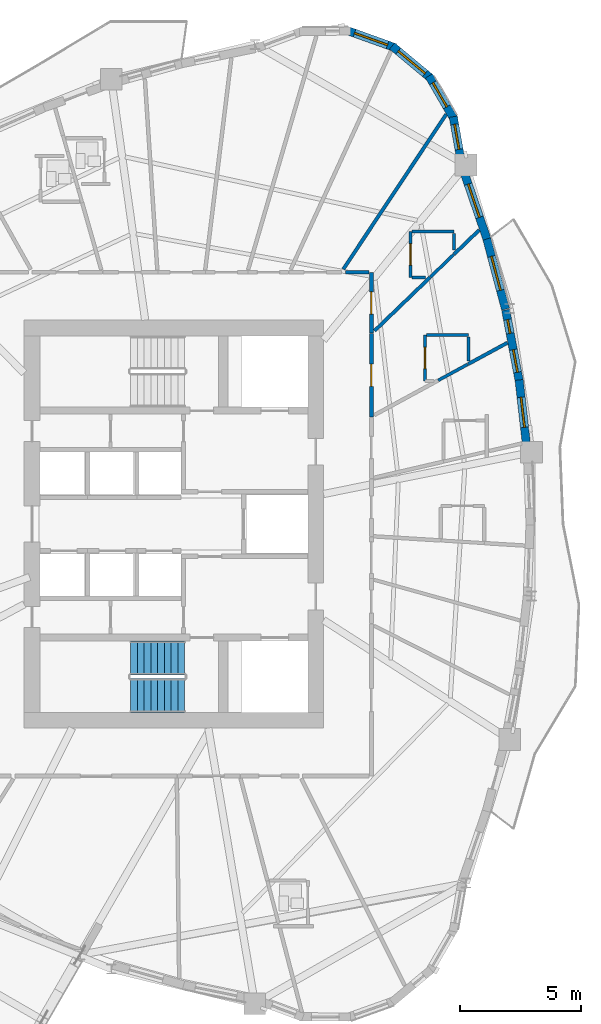
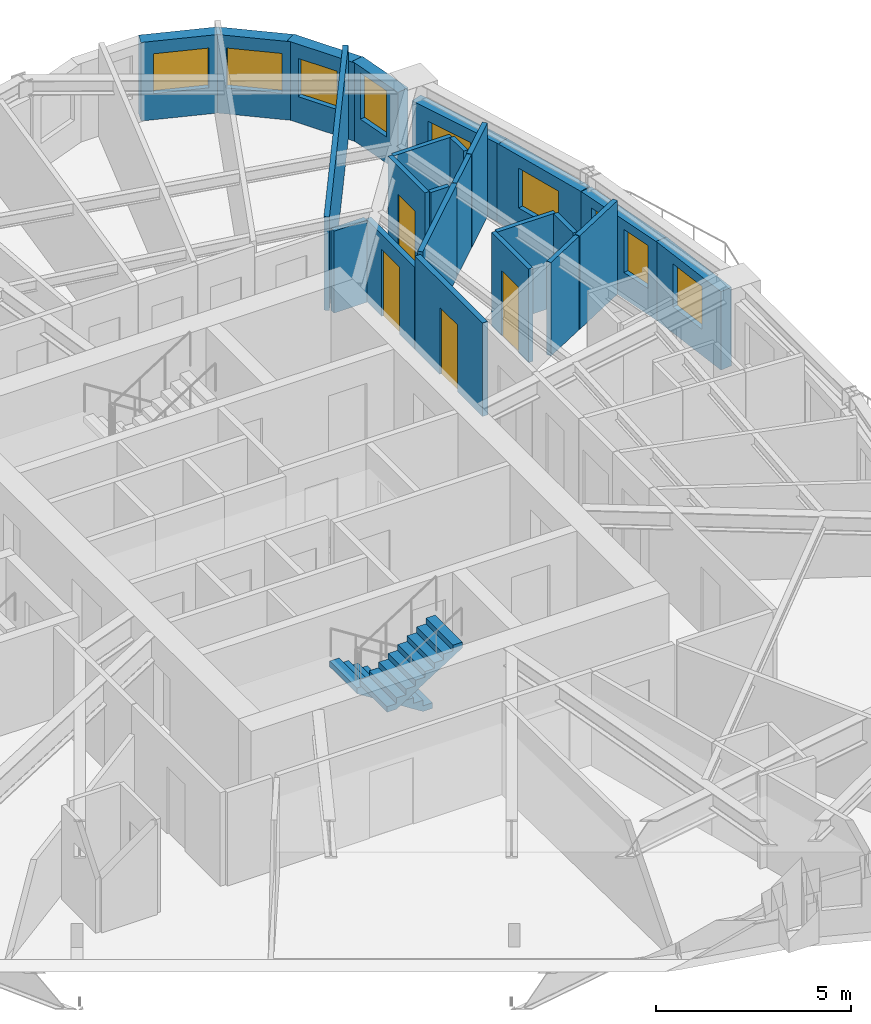
# One storey, part 11 of 17: 24 walls, 9 windows, 4 doors, 2 stair flights, 13 openings, 1 element without a shape of its own.
"""IFC4 building model written with IfcOpenShell, lengths in metres."""

import ifcopenshell
import ifcopenshell.guid

model = None  # the IFC model being written
_history = None  # IfcOwnerHistory: only IFC2X3 demands one
_inside = {}  # id of a spatial element -> (the spatial element, [elements in it])
_under = {}  # id of a project, library or spatial element -> (it, [spatial elements below it])
_declared = {}  # id of a project -> (the project, [libraries it declares])
_typed = {}  # id of a type object -> (the type object, [elements of that type])
_made_of = {}  # id of a material, layer set ... -> (it, [elements and type objects made of it])


def new_model(schema):
    """Start an empty IFC model of exactly this schema.

    Asked for "IFC4X3", IfcOpenShell would pick the latest addendum, in which some entities
    have other attributes; the version numbers below select the first issue.
    IFC2X3 requires an IfcOwnerHistory on every rooted entity: one is made here for all.
    """
    global model, _history
    if schema == "IFC4X3":
        model = ifcopenshell.file(schema_version=(4, 3, 0, 0))
    else:
        model = ifcopenshell.file(schema=schema)
    _inside.clear()
    _under.clear()
    _declared.clear()
    _typed.clear()
    _made_of.clear()
    _history = None
    if model.schema == "IFC2X3":
        org = make("IfcOrganization", Name="unknown")
        user = make(
            "IfcPersonAndOrganization",
            ThePerson=make("IfcPerson", FamilyName="unknown"),
            TheOrganization=org,
        )
        app = make(
            "IfcApplication",
            ApplicationDeveloper=org,
            Version="unknown",
            ApplicationFullName="unknown",
            ApplicationIdentifier="unknown",
        )
        _history = make(
            "IfcOwnerHistory",
            OwningUser=user,
            OwningApplication=app,
            ChangeAction="ADDED",
            CreationDate=0,
        )
    return model


def make(cls, **values):
    """One entity of the class cls with the attributes given. An attribute that is None is left unset."""
    return model.create_entity(
        cls, **{name: value for name, value in values.items() if value is not None}
    )


def rooted(cls, **values):
    """An entity with a GlobalId (a new one), such as an element, a storey or a relation."""
    return make(cls, GlobalId=ifcopenshell.guid.new(), OwnerHistory=_history, **values)


def si_unit(unit_type, name, prefix=None):
    """IfcSIUnit, for example si_unit("LENGTHUNIT", "METRE", prefix="MILLI")."""
    return make("IfcSIUnit", UnitType=unit_type, Prefix=prefix, Name=name)


def assignment(units):
    """IfcUnitAssignment: the units of a project."""
    return None if units is None else make("IfcUnitAssignment", Units=units)


def point(xyz):
    """IfcCartesianPoint."""
    return None if xyz is None else make("IfcCartesianPoint", Coordinates=xyz)


def direction(xyz):
    """IfcDirection."""
    return None if xyz is None else make("IfcDirection", DirectionRatios=xyz)


def frame(location, z_axis=None, x_axis=None):
    """IfcAxis2Placement3D, a coordinate frame: its origin and axes. An axis left out is left unset."""
    return make(
        "IfcAxis2Placement3D",
        Location=point(location),
        Axis=direction(z_axis),
        RefDirection=direction(x_axis),
    )


def frame_2d(location, x_axis=None):
    """IfcAxis2Placement2D, a coordinate frame in the plane: its origin and x axis."""
    return make(
        "IfcAxis2Placement2D", Location=point(location), RefDirection=direction(x_axis)
    )


def origin():
    """The frame at (0, 0, 0) with its axes left unset."""
    return frame((0.0, 0.0, 0.0))


def place(relative_to, where):
    """IfcLocalPlacement: puts the frame where relative to a parent placement (None: the world)."""
    return make(
        "IfcLocalPlacement", PlacementRelTo=relative_to, RelativePlacement=where
    )


def context(
    kind, dimensions, precision=None, world=None, true_north=None, identifier=None
):
    """IfcGeometricRepresentationContext, for example the 3D "Model" context."""
    return make(
        "IfcGeometricRepresentationContext",
        ContextIdentifier=identifier,
        ContextType=kind,
        CoordinateSpaceDimension=dimensions,
        Precision=precision,
        WorldCoordinateSystem=world,
        TrueNorth=true_north,
    )


def subcontext(parent, identifier, kind, view, scale=None):
    """IfcGeometricRepresentationSubContext, for example "Body" below "Model"."""
    return make(
        "IfcGeometricRepresentationSubContext",
        ContextIdentifier=identifier,
        ContextType=kind,
        ParentContext=parent,
        TargetScale=scale,
        TargetView=view,
    )


def project(units=None, contexts=None):
    """IfcProject with its units and contexts."""
    return rooted(
        "IfcProject",
        Name="project",
        RepresentationContexts=contexts,
        UnitsInContext=assignment(units),
    )


def spatial(cls, under=None, at=None, **own):
    """A site, building, storey or space (cls), placed at a placement, below another one or the project."""
    s = rooted(cls, ObjectPlacement=at, **own)
    if under is not None:
        _under.setdefault(under.id(), (under, []))[1].append(s)
    return s


def polyline(points):
    """IfcPolyline through the points."""
    return make("IfcPolyline", Points=[point(p) for p in points])


def profile(cls, at=None, kind="AREA", **sizes):
    """A parametric profile (cls). Its sizes go by their IFC names, for example OverallWidth=200.0."""
    return make(cls, ProfileType=kind, Position=at, **sizes)


def rectangle(**sizes):
    """IfcRectangleProfileDef."""
    return profile("IfcRectangleProfileDef", **sizes)


def outline(outer, holes=None, kind="AREA"):
    """IfcArbitraryClosedProfileDef: a profile drawn as a closed curve; with holes, ...WithVoids."""
    if holes is None:
        return make("IfcArbitraryClosedProfileDef", ProfileType=kind, OuterCurve=outer)
    return make(
        "IfcArbitraryProfileDefWithVoids",
        ProfileType=kind,
        OuterCurve=outer,
        InnerCurves=holes,
    )


def extrude(swept, where, along, depth):
    """IfcExtrudedAreaSolid: the profile swept, set in the frame where, extruded along a direction by depth."""
    return make(
        "IfcExtrudedAreaSolid",
        SweptArea=swept,
        Position=where,
        ExtrudedDirection=direction(along),
        Depth=depth,
    )


def shape(context_of_items, identifier, shape_type, items):
    """IfcShapeRepresentation: the items that make up one representation, for example the "Body"."""
    return make(
        "IfcShapeRepresentation",
        ContextOfItems=context_of_items,
        RepresentationIdentifier=identifier,
        RepresentationType=shape_type,
        Items=items,
    )


def source(mapping_origin, context_of_items, identifier, shape_type, items):
    """IfcRepresentationMap: a shape defined once, which mapped items show again and again."""
    return make(
        "IfcRepresentationMap",
        MappingOrigin=mapping_origin,
        MappedRepresentation=shape(context_of_items, identifier, shape_type, items),
    )


def transform(
    local_origin,
    x_axis=None,
    y_axis=None,
    z_axis=None,
    scale=None,
    scale2=None,
    scale3=None,
    uniform=True,
):
    """IfcCartesianTransformationOperator3D, or its non-uniform kind. x_axis, y_axis, z_axis: its Axis1, 2, 3."""
    if uniform:
        return make(
            "IfcCartesianTransformationOperator3D",
            Axis1=direction(x_axis),
            Axis2=direction(y_axis),
            LocalOrigin=point(local_origin),
            Scale=scale,
            Axis3=direction(z_axis),
        )
    return make(
        "IfcCartesianTransformationOperator3DnonUniform",
        Axis1=direction(x_axis),
        Axis2=direction(y_axis),
        LocalOrigin=point(local_origin),
        Scale=scale,
        Axis3=direction(z_axis),
        Scale2=scale2,
        Scale3=scale3,
    )


def mapped(mapping_source, mapping_target):
    """IfcMappedItem: shows the shape of a source again, moved by a transform."""
    return make(
        "IfcMappedItem", MappingSource=mapping_source, MappingTarget=mapping_target
    )


def material(Name=None, Category=None):
    """IfcMaterial."""
    return make("IfcMaterial", Name=Name, Category=Category)


def layer(
    of_material, thickness, ventilated=None, Name=None, Category=None, Priority=None
):
    """IfcMaterialLayer: one layer of a wall or slab, of a material (None: an air gap)."""
    return make(
        "IfcMaterialLayer",
        Material=of_material,
        LayerThickness=thickness,
        IsVentilated=ventilated,
        Name=Name,
        Category=Category,
        Priority=Priority,
    )


def layer_set(layers, Name=None):
    """IfcMaterialLayerSet."""
    return make("IfcMaterialLayerSet", MaterialLayers=layers, LayerSetName=Name)


def made_of(thing, what):
    """Note that an element or type object is made of a material, layer set ...; save() writes the relation."""
    if what is not None:
        _made_of.setdefault(what.id(), (what, []))[1].append(thing)
    return thing


def type_object(cls, material=None, **own):
    """A type object (cls), such as IfcWallType, which elements share."""
    return made_of(rooted(cls, **own), material)


def element(
    cls,
    number,
    at=None,
    inside=None,
    cuts=None,
    type_object=None,
    material=None,
    context=None,
    identifier="Body",
    shape_type=None,
    held_by="IfcProductDefinitionShape",
    body=None,
    shapes=None,
    **own,
):
    """One element of the class cls, such as IfcWall. Its Tag is "e" and its number.

    at: its placement. inside: the storey or other place that contains it. cuts: it is an
    opening in that element (IfcRelVoidsElement). A single representation is given by context,
    identifier, shape_type and body (its items); several are given by shapes. held_by: the class
    of the entity that holds the representations. save() writes the other relations.
    """
    e = rooted(cls, Tag="e%d" % number, ObjectPlacement=at, **own)
    if body is not None:
        shapes = [shape(context, identifier, shape_type, body)]
    if shapes is not None:
        e.Representation = make(held_by, Representations=shapes)
    if inside is not None:
        _inside.setdefault(inside.id(), (inside, []))[1].append(e)
    if cuts is not None:
        rooted(
            "IfcRelVoidsElement", RelatingBuildingElement=cuts, RelatedOpeningElement=e
        )
    if type_object is not None:
        _typed.setdefault(type_object.id(), (type_object, []))[1].append(e)
    return made_of(e, material)


def fill(opening, filler):
    """IfcRelFillsElement: the door or window that sits in an opening."""
    return rooted(
        "IfcRelFillsElement",
        RelatingOpeningElement=opening,
        RelatedBuildingElement=filler,
    )


def aggregate(whole, parts):
    """IfcRelAggregates: a whole, such as a stair, and the parts it consists of."""
    return rooted("IfcRelAggregates", RelatingObject=whole, RelatedObjects=parts)


def save(model, path):
    """Write the relations noted so far, then the file.

    IfcRelAggregates (storeys below a building ...), IfcRelContainedInSpatialStructure (elements
    in a storey), IfcRelDefinesByType, IfcRelAssociatesMaterial and IfcRelDeclares: one each for
    every whole, place, type object, material and project.
    """
    for whole, parts in _under.values():
        aggregate(whole, parts)
    for where, things in _inside.values():
        rooted(
            "IfcRelContainedInSpatialStructure",
            RelatedElements=things,
            RelatingStructure=where,
        )
    for kind, things in _typed.values():
        rooted("IfcRelDefinesByType", RelatedObjects=things, RelatingType=kind)
    for what, things in _made_of.values():
        rooted("IfcRelAssociatesMaterial", RelatedObjects=things, RelatingMaterial=what)
    for by, libraries in _declared.values():
        rooted("IfcRelDeclares", RelatingContext=by, RelatedDefinitions=libraries)
    model.write(path)


model = new_model("IFC4")

# Units and contexts
model_context = context("Model", 3, precision=1e-05, world=origin(), true_north=direction((0.0, 1.0)))
body_context = subcontext(model_context, "Body", "Model", "MODEL_VIEW")
ifc_project = project(units=[si_unit("LENGTHUNIT", "METRE"), si_unit("AREAUNIT", "SQUARE_METRE"), si_unit("VOLUMEUNIT", "CUBIC_METRE"), si_unit("PLANEANGLEUNIT", "RADIAN"), si_unit("MASSUNIT", "GRAM", prefix="KILO")], contexts=[model_context])

# Site, building, storey
site_placement = place(None, origin())
site = spatial("IfcSite", under=ifc_project, at=site_placement, CompositionType="ELEMENT")
building_placement = place(site_placement, origin())
building = spatial("IfcBuilding", under=site, at=building_placement, Name="Qafzar Sky-Pleat Residences", CompositionType="ELEMENT")
storey_placement = place(building_placement, frame((0.0, 0.0, 108.800048828125)))
storey = spatial("IfcBuildingStorey", under=building, at=storey_placement, Name="L32", CompositionType="ELEMENT", Elevation=108.800048828125)

# Wall, opening, door
ifc_material_1 = material(Name="Acoustic gypsum plasterboard partition", Category="gypsum")
ifc_layer_1 = layer(ifc_material_1, 0.159912109375)
ifc_layer_set_1 = layer_set([ifc_layer_1], Name="Acoustic gypsum plasterboard partition")
wall_type_1 = type_object("IfcWallType", Name="PART-COR-160", PredefinedType="PARTITIONING", material=ifc_layer_set_1)
wall_1_placement = place(storey_placement, frame((38.530029296875, 33.89892578125, 0.0), z_axis=(0.0, 0.0, 1.0), x_axis=(0.0, -1.0, 0.0)))
wall_1 = element("IfcWall", 1, at=wall_1_placement, inside=storey, type_object=wall_type_1, Name="L32 Partition Wall PART-L32-PW-007", PredefinedType="PARTITIONING", context=body_context, shape_type="SweptSolid", body=[
    extrude(rectangle(XDim=3.468994140625, YDim=0.159912109375, at=frame_2d((1.734375, 0.0))), origin(), (0.0, 0.0, 1.0), 2.93505859375),
])
opening_1_placement = place(wall_1_placement, frame((1.276611328125, 0.0, 0.0)))
opening_1 = element("IfcOpeningElement", 2, at=opening_1_placement, cuts=wall_1, Name="Opening ID-04", PredefinedType="OPENING", context=body_context, shape_type="SweptSolid", body=[
    extrude(rectangle(XDim=0.919921875, YDim=2.10009765625, at=frame_2d((0.4599609375, 1.050048828125))), frame((0.0, 0.08984375, 0.0), z_axis=(0.0, -1.0, 0.0), x_axis=(1.0, 0.0, 0.0)), (0.0, 0.0, 1.0), 0.179931640625),
])
ifc_material_2 = material(Name="Timber-faced fire door", Category="wood")
door_type_1 = type_object("IfcDoorType", Name="DR-BED-920", OperationType="NOTDEFINED", PredefinedType="DOOR", material=ifc_material_2)
shared_shape_1 = source(origin(), body_context, "Body", "SweptSolid", [
    extrude(rectangle(XDim=0.919921875, YDim=2.10009765625, at=frame_2d((0.4599609375, 1.050048828125))), frame((0.0, 0.02490234375, 0.0), z_axis=(0.0, -1.0, 0.0), x_axis=(1.0, 0.0, 0.0)), (0.0, 0.0, 1.0), 0.050048828125),
])
door_1_placement = place(opening_1_placement, origin())
door_1 = element("IfcDoor", 3, at=door_1_placement, inside=storey, type_object=door_type_1, Name="L32 Co-Living Bedroom 12 Door", OperationType="SINGLE_SWING_RIGHT", OverallHeight=2.10009765625, OverallWidth=0.919921875, PredefinedType="DOOR", context=body_context, shape_type="MappedRepresentation", body=[
    mapped(shared_shape_1, transform((0.0, 0.0, 0.0), x_axis=(1.0, 0.0, 0.0), y_axis=(0.0, 1.0, 0.0), z_axis=(0.0, 0.0, 1.0), scale=1.0)),
])
fill(opening_1, door_1)

wall_2_placement = place(storey_placement, frame((38.530029296875, 36.429931640625, 0.0), z_axis=(0.0, 0.0, 1.0), x_axis=(0.0, -1.0, 0.0)))
wall_2 = element("IfcWall", 4, at=wall_2_placement, inside=storey, type_object=wall_type_1, Name="L32 Partition Wall PART-L32-PW-012", PredefinedType="PARTITIONING", context=body_context, shape_type="SweptSolid", body=[
    extrude(rectangle(XDim=2.515869140625, YDim=0.159912109375, at=frame_2d((1.2578125, 0.0))), origin(), (0.0, 0.0, 1.0), 2.572998046875),
])
opening_2_placement = place(wall_2_placement, frame((0.81591796875, 0.0, 0.0)))
opening_2 = element("IfcOpeningElement", 5, at=opening_2_placement, cuts=wall_2, Name="Opening ID-04", PredefinedType="OPENING", context=body_context, shape_type="SweptSolid", body=[
    extrude(rectangle(XDim=0.919921875, YDim=2.10009765625, at=frame_2d((0.4599609375, 1.050048828125))), frame((0.0, 0.08984375, 0.0), z_axis=(0.0, -1.0, 0.0), x_axis=(1.0, 0.0, 0.0)), (0.0, 0.0, 1.0), 0.179931640625),
])
door_2_placement = place(opening_2_placement, origin())
door_2 = element("IfcDoor", 6, at=door_2_placement, inside=storey, type_object=door_type_1, Name="L32 Co-Living Bedroom 11 Door", OperationType="SINGLE_SWING_RIGHT", OverallHeight=2.10009765625, OverallWidth=0.919921875, PredefinedType="DOOR", context=body_context, shape_type="MappedRepresentation", body=[
    mapped(shared_shape_1, transform((0.0, 0.0, 0.0), x_axis=(1.0, 0.0, 0.0), y_axis=(0.0, 1.0, 0.0), z_axis=(0.0, 0.0, 1.0), scale=1.0)),
])
fill(opening_2, door_2)

# Walls
wall_3_placement = place(storey_placement, frame((37.463134765625, 36.429931640625, 0.0), z_axis=(0.0, 0.0, 1.0), x_axis=(1.0, 0.0, 0.0)))
element("IfcWall", 7, at=wall_3_placement, inside=storey, type_object=wall_type_1, Name="L32 Partition Wall PART-L32-PW-081", PredefinedType="PARTITIONING", context=body_context, shape_type="SweptSolid", body=[
    extrude(rectangle(XDim=0.978759765625, YDim=0.159912109375, at=frame_2d((0.4892578125, 0.0))), origin(), (0.0, 0.0, 1.0), 2.572998046875),
])
ifc_layer_2 = layer(ifc_material_1, 0.14501953125)
ifc_layer_set_2 = layer_set([ifc_layer_2], Name="Acoustic gypsum plasterboard partition")
wall_type_2 = type_object("IfcWallType", Name="PART-UNIT-145", PredefinedType="PARTITIONING", material=ifc_layer_set_2)
wall_4_placement = place(storey_placement, frame((37.3662109375, 36.556884765625, 0.0), z_axis=(0.0, 0.0, 1.0), x_axis=(0.553463679146, 0.832873313215, 0.0)))
element("IfcWall", 8, at=wall_4_placement, inside=storey, type_object=wall_type_2, Name="L32 Partition Wall PART-L32-PW-040", PredefinedType="PARTITIONING", context=body_context, shape_type="SweptSolid", body=[
    extrude(rectangle(XDim=7.7041015625, YDim=0.14501953125, at=frame_2d((3.85205078125, 0.0))), origin(), (0.0, 0.0, 1.0), 2.93505859375),
])
wall_5_placement = place(storey_placement, frame((38.666015625, 34.009033203125, 0.0), z_axis=(0.0, 0.0, 1.0), x_axis=(0.72031454127, 0.693647577402, 0.0)))
element("IfcWall", 9, at=wall_5_placement, inside=storey, type_object=wall_type_2, Name="L32 Partition Wall PART-L32-PW-047", PredefinedType="PARTITIONING", context=body_context, shape_type="SweptSolid", body=[
    extrude(rectangle(XDim=3.18603515625, YDim=0.14501953125, at=frame_2d((1.593017578125, 0.0))), origin(), (0.0, 0.0, 1.0), 2.93505859375),
])
wall_6_placement = place(storey_placement, frame((42.534912109375, 32.6240234375, 0.0), z_axis=(0.0, 0.0, 1.0), x_axis=(0.878631690287, 0.477500107669, 0.0)))
element("IfcWall", 10, at=wall_6_placement, inside=storey, type_object=wall_type_2, Name="L32 Partition Wall PART-L32-PW-057", PredefinedType="PARTITIONING", context=body_context, shape_type="SweptSolid", body=[
    extrude(rectangle(XDim=1.860595703125, YDim=0.14501953125, at=frame_2d((0.93017578125, 0.0))), origin(), (0.0, 0.0, 1.0), 2.93505859375),
])
wall_7_placement = place(storey_placement, frame((41.950927734375, 37.173095703125, 0.0), z_axis=(0.0, 0.0, 1.0), x_axis=(0.720559112487, 0.693393514111, 0.0)))
element("IfcWall", 11, at=wall_7_placement, inside=storey, type_object=wall_type_2, Name="L32 Partition Wall PART-L32-PW-073", PredefinedType="PARTITIONING", context=body_context, shape_type="SweptSolid", body=[
    extrude(rectangle(XDim=1.455810546875, YDim=0.14501953125, at=frame_2d((0.72802734375, 0.0))), origin(), (0.0, 0.0, 1.0), 2.93505859375),
])

# Wall, opening, door
ifc_material_3 = material(Name="Moisture-resistant gypsum partition", Category="gypsum")
ifc_layer_3 = layer(ifc_material_3, 0.1298828125)
ifc_layer_set_3 = layer_set([ifc_layer_3], Name="Moisture-resistant gypsum partition")
wall_type_3 = type_object("IfcWallType", Name="PART-WET-130", PredefinedType="PARTITIONING", material=ifc_layer_set_3)
wall_8_placement = place(storey_placement, frame((40.75, 33.83203125, 0.0), z_axis=(0.0, 0.0, 1.0), x_axis=(0.0, -1.0, 0.0)))
wall_8 = element("IfcWall", 12, at=wall_8_placement, inside=storey, type_object=wall_type_3, Name="L32 Partition Wall PART-L32-PW-019", PredefinedType="PARTITIONING", context=body_context, shape_type="SweptSolid", body=[
    extrude(rectangle(XDim=1.900146484375, YDim=0.1298828125, at=frame_2d((0.9501953125, 0.0))), origin(), (0.0, 0.0, 1.0), 2.93505859375),
])
opening_3_placement = place(wall_8_placement, frame((0.510009765625, 0.0, 0.0)))
opening_3 = element("IfcOpeningElement", 13, at=opening_3_placement, cuts=wall_8, Name="Opening ID-07", PredefinedType="OPENING", context=body_context, shape_type="SweptSolid", body=[
    extrude(rectangle(XDim=0.8798828125, YDim=2.050048828125, at=frame_2d((0.43994140625, 1.02490234375))), frame((0.0, 0.074951171875, 0.0), z_axis=(0.0, -1.0, 0.0), x_axis=(1.0, 0.0, 0.0)), (0.0, 0.0, 1.0), 0.14990234375),
])
door_type_2 = type_object("IfcDoorType", Name="DR-WET-880", OperationType="NOTDEFINED", PredefinedType="DOOR", material=ifc_material_2)
shared_shape_2 = source(origin(), body_context, "Body", "SweptSolid", [
    extrude(rectangle(XDim=0.8798828125, YDim=2.050048828125, at=frame_2d((0.43994140625, 1.02490234375))), frame((0.0, 0.02490234375, 0.0), z_axis=(0.0, -1.0, 0.0), x_axis=(1.0, 0.0, 0.0)), (0.0, 0.0, 1.0), 0.050048828125),
])
door_3_placement = place(opening_3_placement, origin())
door_3 = element("IfcDoor", 14, at=door_3_placement, inside=storey, type_object=door_type_2, Name="L32 En-suite Bathroom 12 Door", OperationType="SINGLE_SWING_RIGHT", OverallHeight=2.050048828125, OverallWidth=0.8798828125, PredefinedType="DOOR", context=body_context, shape_type="MappedRepresentation", body=[
    mapped(shared_shape_2, transform((0.0, 0.0, 0.0), x_axis=(1.0, 0.0, 0.0), y_axis=(0.0, 1.0, 0.0), z_axis=(0.0, 0.0, 1.0), scale=1.0)),
])
fill(opening_3, door_3)

wall_9_placement = place(storey_placement, frame((40.15087890625, 38.118896484375, 0.0), z_axis=(0.0, 0.0, 1.0), x_axis=(0.0, -1.0, 0.0)))
wall_9 = element("IfcWall", 15, at=wall_9_placement, inside=storey, type_object=wall_type_3, Name="L32 Partition Wall PART-L32-PW-024", PredefinedType="PARTITIONING", context=body_context, shape_type="SweptSolid", body=[
    extrude(rectangle(XDim=1.89990234375, YDim=0.1298828125, at=frame_2d((0.949951171875, 0.0))), origin(), (0.0, 0.0, 1.0), 2.93505859375),
])
opening_4_placement = place(wall_9_placement, frame((0.510009765625, 0.0, 0.0)))
opening_4 = element("IfcOpeningElement", 16, at=opening_4_placement, cuts=wall_9, Name="Opening ID-07", PredefinedType="OPENING", context=body_context, shape_type="SweptSolid", body=[
    extrude(rectangle(XDim=0.8798828125, YDim=2.050048828125, at=frame_2d((0.43994140625, 1.02490234375))), frame((0.0, 0.074951171875, 0.0), z_axis=(0.0, -1.0, 0.0), x_axis=(1.0, 0.0, 0.0)), (0.0, 0.0, 1.0), 0.14990234375),
])
door_4_placement = place(opening_4_placement, origin())
door_4 = element("IfcDoor", 17, at=door_4_placement, inside=storey, type_object=door_type_2, Name="L32 En-suite Bathroom 11 Door", OperationType="SINGLE_SWING_LEFT", OverallHeight=2.050048828125, OverallWidth=0.8798828125, PredefinedType="DOOR", context=body_context, shape_type="MappedRepresentation", body=[
    mapped(shared_shape_2, transform((0.0, 0.0, 0.0), x_axis=(1.0, 0.0, 0.0), y_axis=(0.0, 1.0, 0.0), z_axis=(0.0, 0.0, 1.0), scale=1.0)),
])
fill(opening_4, door_4)

# Walls
wall_10_placement = place(storey_placement, frame((40.22412109375, 38.118896484375, 0.0), z_axis=(0.0, 0.0, 1.0), x_axis=(1.0, 0.0, 0.0)))
element("IfcWall", 18, at=wall_10_placement, inside=storey, type_object=wall_type_3, Name="L32 Partition Wall PART-L32-PW-061", PredefinedType="PARTITIONING", context=body_context, shape_type="SweptSolid", body=[
    extrude(rectangle(XDim=1.726806640625, YDim=0.1298828125, at=frame_2d((0.86328125, 0.0))), origin(), (0.0, 0.0, 1.0), 2.93505859375),
])
wall_11_placement = place(storey_placement, frame((40.822998046875, 33.83203125, 0.0), z_axis=(0.0, 0.0, 1.0), x_axis=(1.0, 0.0, 0.0)))
element("IfcWall", 19, at=wall_11_placement, inside=storey, type_object=wall_type_3, Name="L32 Partition Wall PART-L32-PW-062", PredefinedType="PARTITIONING", context=body_context, shape_type="SweptSolid", body=[
    extrude(rectangle(XDim=1.72705078125, YDim=0.1298828125, at=frame_2d((0.863525390625, 0.0))), origin(), (0.0, 0.0, 1.0), 2.93505859375),
])
wall_12_placement = place(storey_placement, frame((41.30322265625, 31.9541015625, 0.0), z_axis=(0.0, 0.0, 1.0), x_axis=(0.87855387187, 0.477643270885, 0.0)))
element("IfcWall", 20, at=wall_12_placement, inside=storey, type_object=wall_type_3, Name="L32 Partition Wall PART-L32-PW-075", PredefinedType="PARTITIONING", context=body_context, shape_type="SweptSolid", body=[
    extrude(rectangle(XDim=1.38720703125, YDim=0.1298828125, at=frame_2d((0.693603515625, 0.0))), origin(), (0.0, 0.0, 1.0), 2.93505859375),
])
wall_13_placement = place(storey_placement, frame((40.9716796875, 36.2294921875, 0.0), z_axis=(0.0, 0.0, 1.0), x_axis=(0.72014550452, 0.693823069896, 0.0)))
element("IfcWall", 21, at=wall_13_placement, inside=storey, type_object=wall_type_3, Name="L32 Partition Wall PART-L32-PW-077", PredefinedType="PARTITIONING", context=body_context, shape_type="SweptSolid", body=[
    extrude(rectangle(XDim=1.344970703125, YDim=0.1298828125, at=frame_2d((0.67236328125, 0.0))), origin(), (0.0, 0.0, 1.0), 2.93505859375),
])
wall_14_placement = place(storey_placement, frame((42.550048828125, 32.7578125, 0.0), z_axis=(0.0, 0.0, 1.0), x_axis=(0.0, 1.0, 0.0)))
element("IfcWall", 22, at=wall_14_placement, inside=storey, type_object=wall_type_3, Name="L32 Partition Wall PART-L32-PW-082", PredefinedType="PARTITIONING", context=body_context, shape_type="SweptSolid", body=[
    extrude(rectangle(XDim=1.001220703125, YDim=0.1298828125, at=frame_2d((0.50048828125, 0.0))), origin(), (0.0, 0.0, 1.0), 2.93505859375),
])
wall_15_placement = place(storey_placement, frame((41.950927734375, 37.34423828125, 0.0), z_axis=(0.0, 0.0, 1.0), x_axis=(0.0, 1.0, 0.0)))
element("IfcWall", 23, at=wall_15_placement, inside=storey, type_object=wall_type_3, Name="L32 Partition Wall PART-L32-PW-087", PredefinedType="PARTITIONING", context=body_context, shape_type="SweptSolid", body=[
    extrude(rectangle(XDim=0.70166015625, YDim=0.1298828125, at=frame_2d((0.350830078125, 0.0))), origin(), (0.0, 0.0, 1.0), 2.93505859375),
])
wall_16_placement = place(storey_placement, frame((40.22412109375, 36.218994140625, 0.0), z_axis=(0.0, 0.0, 1.0), x_axis=(1.0, 0.0, 0.0)))
element("IfcWall", 24, at=wall_16_placement, inside=storey, type_object=wall_type_3, Name="L32 Partition Wall PART-L32-PW-088", PredefinedType="PARTITIONING", context=body_context, shape_type="SweptSolid", body=[
    extrude(rectangle(XDim=0.556884765625, YDim=0.1298828125, at=frame_2d((0.2783203125, 0.0))), origin(), (0.0, 0.0, 1.0), 2.93505859375),
])

# Wall, opening, window
ifc_material_4 = material(Name="Precast concrete C40/50 with honed Riyadh limestone", Category="concrete")
ifc_layer_4 = layer(ifc_material_4, 0.340087890625)
ifc_layer_set_4 = layer_set([ifc_layer_4], Name="Precast concrete C40/50 with honed Riyadh limestone")
wall_type_4 = type_object("IfcWallType", Name="WALL-EXT-340", PredefinedType="SOLIDWALL", material=ifc_layer_set_4)
wall_17_placement = place(storey_placement, frame((44.96826171875, 29.184326171875, 0.0), z_axis=(0.0, 0.0, 1.0), x_axis=(-0.113251751131, 0.993566324342, 0.0)))
wall_17 = element("IfcWall", 25, at=wall_17_placement, inside=storey, type_object=wall_type_4, Name="L32 Limestone Facade Wall 29", PredefinedType="SOLIDWALL", context=body_context, shape_type="SweptSolid", body=[
    extrude(rectangle(XDim=2.802490234375, YDim=0.340087890625, at=frame_2d((1.4013671875, 0.0))), origin(), (0.0, 0.0, 1.0), 2.46484375),
])
opening_5_placement = place(wall_17_placement, frame((0.82568359375, 0.0, 0.820068359375)))
opening_5 = element("IfcOpeningElement", 26, at=opening_5_placement, cuts=wall_17, Name="Opening WN-11", PredefinedType="OPENING", context=body_context, shape_type="SweptSolid", body=[
    extrude(rectangle(XDim=1.25, YDim=1.35009765625, at=frame_2d((0.625, 0.675048828125))), frame((0.0, 0.18017578125, 0.0), z_axis=(0.0, -1.0, 0.0), x_axis=(1.0, 0.0, 0.0)), (0.0, 0.0, 1.0), 0.360107421875),
])
ifc_material_5 = material(Name="Solar-control low-E glass in bronze aluminium frame", Category="glass")
window_type_1 = type_object("IfcWindowType", Name="WIN-11", PartitioningType="SINGLE_PANEL", PredefinedType="WINDOW", material=ifc_material_5)
shared_shape_3 = source(origin(), body_context, "Body", "SweptSolid", [
    extrude(rectangle(XDim=1.25, YDim=1.35009765625, at=frame_2d((0.625, 0.675048828125))), frame((0.0, 0.030029296875, 0.0), z_axis=(0.0, -1.0, 0.0), x_axis=(1.0, 0.0, 0.0)), (0.0, 0.0, 1.0), 0.06005859375),
])
window_1_placement = place(opening_5_placement, origin())
window_1 = element("IfcWindow", 27, at=window_1_placement, inside=storey, type_object=window_type_1, Name="L32 Punched Facade Window 29", OverallHeight=1.35009765625, OverallWidth=1.25, PartitioningType="SINGLE_PANEL", PredefinedType="WINDOW", context=body_context, shape_type="MappedRepresentation", body=[
    mapped(shared_shape_3, transform((0.0, 0.0, 0.0), x_axis=(1.0, 0.0, 0.0), y_axis=(0.0, 1.0, 0.0), z_axis=(0.0, 0.0, 1.0), scale=1.0)),
])
fill(opening_5, window_1)

# Wall, openings, windows
wall_18_placement = place(storey_placement, frame((44.664306640625, 31.881103515625, 0.0), z_axis=(0.0, 0.0, 1.0), x_axis=(-0.18665909876, 0.982424745642, 0.0)))
wall_18 = element("IfcWall", 28, at=wall_18_placement, inside=storey, type_object=wall_type_4, Name="L32 Limestone Facade Wall 30", PredefinedType="SOLIDWALL", context=body_context, shape_type="SweptSolid", body=[
    extrude(rectangle(XDim=3.046142578125, YDim=0.340087890625, at=frame_2d((1.52294921875, 0.0))), origin(), (0.0, 0.0, 1.0), 2.46484375),
])
opening_6_placement = place(wall_18_placement, frame((0.416015625, 0.0, 0.820068359375)))
opening_6 = element("IfcOpeningElement", 29, at=opening_6_placement, cuts=wall_18, Name="Opening WN-12", PredefinedType="OPENING", context=body_context, shape_type="SweptSolid", body=[
    extrude(rectangle(XDim=0.949951171875, YDim=1.35009765625, at=frame_2d((0.47509765625, 0.675048828125))), frame((0.0, 0.18017578125, 0.0), z_axis=(0.0, -1.0, 0.0), x_axis=(1.0, 0.0, 0.0)), (0.0, 0.0, 1.0), 0.360107421875),
])
opening_7_placement = place(wall_18_placement, frame((2.05419921875, 0.0, 0.820068359375)))
opening_7 = element("IfcOpeningElement", 30, at=opening_7_placement, cuts=wall_18, Name="Opening WN-17", PredefinedType="OPENING", context=body_context, shape_type="SweptSolid", body=[
    extrude(rectangle(XDim=0.580078125, YDim=1.35009765625, at=frame_2d((0.2900390625, 0.675048828125))), frame((0.0, 0.18017578125, 0.0), z_axis=(0.0, -1.0, 0.0), x_axis=(1.0, 0.0, 0.0)), (0.0, 0.0, 1.0), 0.360107421875),
])
window_type_2 = type_object("IfcWindowType", Name="WIN-12", PartitioningType="SINGLE_PANEL", PredefinedType="WINDOW", material=ifc_material_5)
shared_shape_4 = source(origin(), body_context, "Body", "SweptSolid", [
    extrude(rectangle(XDim=0.949951171875, YDim=1.35009765625, at=frame_2d((0.47509765625, 0.675048828125))), frame((0.0, 0.030029296875, 0.0), z_axis=(0.0, -1.0, 0.0), x_axis=(1.0, 0.0, 0.0)), (0.0, 0.0, 1.0), 0.06005859375),
])
window_2_placement = place(opening_6_placement, origin())
window_2 = element("IfcWindow", 31, at=window_2_placement, inside=storey, type_object=window_type_2, Name="L32 Punched Facade Window 30", OverallHeight=1.35009765625, OverallWidth=0.949951171875, PartitioningType="SINGLE_PANEL", PredefinedType="WINDOW", context=body_context, shape_type="MappedRepresentation", body=[
    mapped(shared_shape_4, transform((0.0, 0.0, 0.0), x_axis=(1.0, 0.0, 0.0), y_axis=(0.0, 1.0, 0.0), z_axis=(0.0, 0.0, 1.0), scale=1.0)),
])
fill(opening_6, window_2)
window_type_3 = type_object("IfcWindowType", Name="WIN-17", PartitioningType="SINGLE_PANEL", PredefinedType="WINDOW", material=ifc_material_5)
shared_shape_5 = source(origin(), body_context, "Body", "SweptSolid", [
    extrude(rectangle(XDim=0.580078125, YDim=1.35009765625, at=frame_2d((0.2900390625, 0.675048828125))), frame((0.0, 0.030029296875, 0.0), z_axis=(0.0, -1.0, 0.0), x_axis=(1.0, 0.0, 0.0)), (0.0, 0.0, 1.0), 0.06005859375),
])
window_3_placement = place(opening_7_placement, origin())
window_3 = element("IfcWindow", 32, at=window_3_placement, inside=storey, type_object=window_type_3, Name="L32 Punched Facade Window 30-2", OverallHeight=1.35009765625, OverallWidth=0.580078125, PartitioningType="SINGLE_PANEL", PredefinedType="WINDOW", context=body_context, shape_type="MappedRepresentation", body=[
    mapped(shared_shape_5, transform((0.0, 0.0, 0.0), x_axis=(1.0, 0.0, 0.0), y_axis=(0.0, 1.0, 0.0), z_axis=(0.0, 0.0, 1.0), scale=1.0)),
])
fill(opening_7, window_3)

# Wall, opening, window
wall_19_placement = place(storey_placement, frame((44.089599609375, 34.90087890625, 0.0), z_axis=(0.0, 0.0, 1.0), x_axis=(-0.257108087637, 0.966382652613, 0.0)))
wall_19 = element("IfcWall", 33, at=wall_19_placement, inside=storey, type_object=wall_type_4, Name="L32 Limestone Facade Wall 31", PredefinedType="SOLIDWALL", context=body_context, shape_type="SweptSolid", body=[
    extrude(rectangle(XDim=3.096435546875, YDim=0.340087890625, at=frame_2d((1.54833984375, 0.0))), origin(), (0.0, 0.0, 1.0), 2.46484375),
])
opening_8_placement = place(wall_19_placement, frame((0.813232421875, 0.0, 0.820068359375)))
opening_8 = element("IfcOpeningElement", 34, at=opening_8_placement, cuts=wall_19, Name="Opening WN-15", PredefinedType="OPENING", context=body_context, shape_type="SweptSolid", body=[
    extrude(rectangle(XDim=1.449951171875, YDim=1.25, at=frame_2d((0.72509765625, 0.625))), frame((0.0, 0.18017578125, 0.0), z_axis=(0.0, -1.0, 0.0), x_axis=(1.0, 0.0, 0.0)), (0.0, 0.0, 1.0), 0.360107421875),
])
window_type_4 = type_object("IfcWindowType", Name="WIN-15", PartitioningType="SINGLE_PANEL", PredefinedType="WINDOW", material=ifc_material_5)
shared_shape_6 = source(origin(), body_context, "Body", "SweptSolid", [
    extrude(rectangle(XDim=1.449951171875, YDim=1.25, at=frame_2d((0.72509765625, 0.625))), frame((0.0, 0.030029296875, 0.0), z_axis=(0.0, -1.0, 0.0), x_axis=(1.0, 0.0, 0.0)), (0.0, 0.0, 1.0), 0.06005859375),
])
window_4_placement = place(opening_8_placement, origin())
window_4 = element("IfcWindow", 35, at=window_4_placement, inside=storey, type_object=window_type_4, Name="L32 Punched Facade Window 31", OverallHeight=1.25, OverallWidth=1.449951171875, PartitioningType="SINGLE_PANEL", PredefinedType="WINDOW", context=body_context, shape_type="MappedRepresentation", body=[
    mapped(shared_shape_6, transform((0.0, 0.0, 0.0), x_axis=(1.0, 0.0, 0.0), y_axis=(0.0, 1.0, 0.0), z_axis=(0.0, 0.0, 1.0), scale=1.0)),
])
fill(opening_8, window_4)

wall_20_placement = place(storey_placement, frame((43.31884765625, 37.809326171875, 0.0), z_axis=(0.0, 0.0, 1.0), x_axis=(-0.323586371726, 0.946198636669, 0.0)))
wall_20 = element("IfcWall", 36, at=wall_20_placement, inside=storey, type_object=wall_type_4, Name="L32 Limestone Facade Wall 32", PredefinedType="SOLIDWALL", context=body_context, shape_type="SweptSolid", body=[
    extrude(rectangle(XDim=2.952392578125, YDim=0.340087890625, at=frame_2d((1.47607421875, 0.0))), origin(), (0.0, 0.0, 1.0), 2.46484375),
])
opening_9_placement = place(wall_20_placement, frame((0.949462890625, 0.0, 0.820068359375)))
opening_9 = element("IfcOpeningElement", 37, at=opening_9_placement, cuts=wall_20, Name="Opening WN-15", PredefinedType="OPENING", context=body_context, shape_type="SweptSolid", body=[
    extrude(rectangle(XDim=1.449951171875, YDim=1.25, at=frame_2d((0.72509765625, 0.625))), frame((0.0, 0.18017578125, 0.0), z_axis=(0.0, -1.0, 0.0), x_axis=(1.0, 0.0, 0.0)), (0.0, 0.0, 1.0), 0.360107421875),
])
window_5_placement = place(opening_9_placement, origin())
window_5 = element("IfcWindow", 38, at=window_5_placement, inside=storey, type_object=window_type_4, Name="L32 Punched Facade Window 32-2", OverallHeight=1.25, OverallWidth=1.449951171875, PartitioningType="SINGLE_PANEL", PredefinedType="WINDOW", context=body_context, shape_type="MappedRepresentation", body=[
    mapped(shared_shape_6, transform((0.0, 0.0, 0.0), x_axis=(1.0, 0.0, 0.0), y_axis=(0.0, 1.0, 0.0), z_axis=(0.0, 0.0, 1.0), scale=1.0)),
])
fill(opening_9, window_5)

wall_21_placement = place(storey_placement, frame((42.242431640625, 41.072265625, 0.0), z_axis=(0.0, 0.0, 1.0), x_axis=(-0.17440141227, 0.984674640375, 0.0)))
wall_21 = element("IfcWall", 39, at=wall_21_placement, inside=storey, type_object=wall_type_4, Name="L32 Limestone Facade Wall 33", PredefinedType="SOLIDWALL", context=body_context, shape_type="SweptSolid", body=[
    extrude(rectangle(XDim=1.8310546875, YDim=0.340087890625, at=frame_2d((0.91552734375, 0.0))), origin(), (0.0, 0.0, 1.0), 2.46484375),
])
opening_10_placement = place(wall_21_placement, frame((0.457275390625, 0.0, 0.820068359375)))
opening_10 = element("IfcOpeningElement", 40, at=opening_10_placement, cuts=wall_21, Name="Opening WN-06", PredefinedType="OPENING", context=body_context, shape_type="SweptSolid", body=[
    extrude(rectangle(XDim=1.050048828125, YDim=1.449951171875, at=frame_2d((0.52490234375, 0.72509765625))), frame((0.0, 0.18017578125, 0.0), z_axis=(0.0, -1.0, 0.0), x_axis=(1.0, 0.0, 0.0)), (0.0, 0.0, 1.0), 0.360107421875),
])
window_type_5 = type_object("IfcWindowType", Name="WIN-06", PartitioningType="SINGLE_PANEL", PredefinedType="WINDOW", material=ifc_material_5)
shared_shape_7 = source(origin(), body_context, "Body", "SweptSolid", [
    extrude(rectangle(XDim=1.050048828125, YDim=1.449951171875, at=frame_2d((0.52490234375, 0.72509765625))), frame((0.0, 0.030029296875, 0.0), z_axis=(0.0, -1.0, 0.0), x_axis=(1.0, 0.0, 0.0)), (0.0, 0.0, 1.0), 0.06005859375),
])
window_6_placement = place(opening_10_placement, origin())
window_6 = element("IfcWindow", 41, at=window_6_placement, inside=storey, type_object=window_type_5, Name="L32 Punched Facade Window 33", OverallHeight=1.449951171875, OverallWidth=1.050048828125, PartitioningType="SINGLE_PANEL", PredefinedType="WINDOW", context=body_context, shape_type="MappedRepresentation", body=[
    mapped(shared_shape_7, transform((0.0, 0.0, 0.0), x_axis=(1.0, 0.0, 0.0), y_axis=(0.0, 1.0, 0.0), z_axis=(0.0, 0.0, 1.0), scale=1.0)),
])
fill(opening_10, window_6)

wall_22_placement = place(storey_placement, frame((41.96923828125, 42.749267578125, 0.0), z_axis=(0.0, 0.0, 1.0), x_axis=(-0.501989603552, 0.864873654313, 0.0)))
wall_22 = element("IfcWall", 42, at=wall_22_placement, inside=storey, type_object=wall_type_4, Name="L32 Limestone Facade Wall 34", PredefinedType="SOLIDWALL", context=body_context, shape_type="SweptSolid", body=[
    extrude(rectangle(XDim=2.09912109375, YDim=0.340087890625, at=frame_2d((1.049560546875, 0.0))), origin(), (0.0, 0.0, 1.0), 2.46484375),
])
opening_11_placement = place(wall_22_placement, frame((0.62158203125, 0.0, 0.820068359375)))
opening_11 = element("IfcOpeningElement", 43, at=opening_11_placement, cuts=wall_22, Name="Opening WN-16", PredefinedType="OPENING", context=body_context, shape_type="SweptSolid", body=[
    extrude(rectangle(XDim=1.14990234375, YDim=1.199951171875, at=frame_2d((0.574951171875, 0.60009765625))), frame((0.0, 0.18017578125, 0.0), z_axis=(0.0, -1.0, 0.0), x_axis=(1.0, 0.0, 0.0)), (0.0, 0.0, 1.0), 0.360107421875),
])
window_type_6 = type_object("IfcWindowType", Name="WIN-16", PartitioningType="SINGLE_PANEL", PredefinedType="WINDOW", material=ifc_material_5)
shared_shape_8 = source(origin(), body_context, "Body", "SweptSolid", [
    extrude(rectangle(XDim=1.14990234375, YDim=1.199951171875, at=frame_2d((0.574951171875, 0.60009765625))), frame((0.0, 0.030029296875, 0.0), z_axis=(0.0, -1.0, 0.0), x_axis=(1.0, 0.0, 0.0)), (0.0, 0.0, 1.0), 0.06005859375),
])
window_7_placement = place(opening_11_placement, origin())
window_7 = element("IfcWindow", 44, at=window_7_placement, inside=storey, type_object=window_type_6, Name="L32 Punched Facade Window 34", OverallHeight=1.199951171875, OverallWidth=1.14990234375, PartitioningType="SINGLE_PANEL", PredefinedType="WINDOW", context=body_context, shape_type="MappedRepresentation", body=[
    mapped(shared_shape_8, transform((0.0, 0.0, 0.0), x_axis=(1.0, 0.0, 0.0), y_axis=(0.0, 1.0, 0.0), z_axis=(0.0, 0.0, 1.0), scale=1.0)),
])
fill(opening_11, window_7)

wall_23_placement = place(storey_placement, frame((41.002197265625, 44.462158203125, 0.0), z_axis=(0.0, 0.0, 1.0), x_axis=(-0.768488123124, 0.639864051669, 0.0)))
wall_23 = element("IfcWall", 45, at=wall_23_placement, inside=storey, type_object=wall_type_4, Name="L32 Limestone Facade Wall 35", PredefinedType="SOLIDWALL", context=body_context, shape_type="SweptSolid", body=[
    extrude(rectangle(XDim=2.099365234375, YDim=0.340087890625, at=frame_2d((1.0498046875, 0.0))), origin(), (0.0, 0.0, 1.0), 2.46484375),
])
opening_12_placement = place(wall_23_placement, frame((0.318603515625, 0.0, 0.820068359375)))
opening_12 = element("IfcOpeningElement", 46, at=opening_12_placement, cuts=wall_23, Name="Opening WN-15", PredefinedType="OPENING", context=body_context, shape_type="SweptSolid", body=[
    extrude(rectangle(XDim=1.449951171875, YDim=1.25, at=frame_2d((0.72509765625, 0.625))), frame((0.0, 0.18017578125, 0.0), z_axis=(0.0, -1.0, 0.0), x_axis=(1.0, 0.0, 0.0)), (0.0, 0.0, 1.0), 0.360107421875),
])
window_8_placement = place(opening_12_placement, origin())
window_8 = element("IfcWindow", 47, at=window_8_placement, inside=storey, type_object=window_type_4, Name="L32 Punched Facade Window 35", OverallHeight=1.25, OverallWidth=1.449951171875, PartitioningType="SINGLE_PANEL", PredefinedType="WINDOW", context=body_context, shape_type="MappedRepresentation", body=[
    mapped(shared_shape_6, transform((0.0, 0.0, 0.0), x_axis=(1.0, 0.0, 0.0), y_axis=(0.0, 1.0, 0.0), z_axis=(0.0, 0.0, 1.0), scale=1.0)),
])
fill(opening_12, window_8)

wall_24_placement = place(storey_placement, frame((39.505615234375, 45.73876953125, 0.0), z_axis=(0.0, 0.0, 1.0), x_axis=(-0.941486401639, 0.33705096874, 0.0)))
wall_24 = element("IfcWall", 48, at=wall_24_placement, inside=storey, type_object=wall_type_4, Name="L32 Limestone Facade Wall 36", PredefinedType="SOLIDWALL", context=body_context, shape_type="SweptSolid", body=[
    extrude(rectangle(XDim=2.09912109375, YDim=0.340087890625, at=frame_2d((1.049560546875, 0.0))), origin(), (0.0, 0.0, 1.0), 2.46484375),
])
opening_13_placement = place(wall_24_placement, frame((0.326904296875, 0.0, 0.820068359375)))
opening_13 = element("IfcOpeningElement", 49, at=opening_13_placement, cuts=wall_24, Name="Opening WN-15", PredefinedType="OPENING", context=body_context, shape_type="SweptSolid", body=[
    extrude(rectangle(XDim=1.449951171875, YDim=1.25, at=frame_2d((0.72509765625, 0.625))), frame((0.0, 0.18017578125, 0.0), z_axis=(0.0, -1.0, 0.0), x_axis=(1.0, 0.0, 0.0)), (0.0, 0.0, 1.0), 0.360107421875),
])
window_9_placement = place(opening_13_placement, origin())
window_9 = element("IfcWindow", 50, at=window_9_placement, inside=storey, type_object=window_type_4, Name="L32 Punched Facade Window 36", OverallHeight=1.25, OverallWidth=1.449951171875, PartitioningType="SINGLE_PANEL", PredefinedType="WINDOW", context=body_context, shape_type="MappedRepresentation", body=[
    mapped(shared_shape_6, transform((0.0, 0.0, 0.0), x_axis=(1.0, 0.0, 0.0), y_axis=(0.0, 1.0, 0.0), z_axis=(0.0, 0.0, 1.0), scale=1.0)),
])
fill(opening_13, window_9)

# Stair, stair flights
ifc_material_6 = material(Name="Concrete C40/50", Category="concrete")
stair_type = type_object("IfcStairType", Name="STAIR-H320", PredefinedType="HALF_TURN_STAIR", material=ifc_material_6)
stair_placement = place(storey_placement, origin())
stair = element("IfcStair", 51, at=stair_placement, inside=storey, type_object=stair_type, Name="L32 Protected Exit Stair ST1", PredefinedType="HALF_TURN_STAIR")
stair_flight_type = type_object("IfcStairFlightType", Name="FLIGHT-H320", PredefinedType="STRAIGHT", material=ifc_material_6)
shared_shape_9 = source(origin(), body_context, "Body", "SweptSolid", [
    extrude(outline(polyline([(0.0, 0.0), (0.0, 0.177734375), (0.280029296875, 0.177734375), (0.280029296875, 0.35546875), (0.56005859375, 0.35546875), (0.56005859375, 0.533447265625), (0.840087890625, 0.533447265625), (0.840087890625, 0.711181640625), (1.1201171875, 0.711181640625), (1.1201171875, 0.888916015625), (1.39990234375, 0.888916015625), (1.39990234375, 1.066650390625), (1.679931640625, 1.066650390625), (1.679931640625, 1.244384765625), (1.9599609375, 1.244384765625), (1.9599609375, 1.422119140625), (2.239990234375, 1.422119140625), (2.239990234375, 1.60009765625), (2.239990234375, 1.24462890625), (0.27978515625, 0.0), (0.0, 0.0)])), frame((0.0, 0.699951171875, 0.0), z_axis=(0.0, -1.0, 0.0), x_axis=(1.0, 0.0, 0.0)), (0.0, 0.0, 1.0), 1.39990234375),
])
stair_flight_1_placement = place(storey_placement, frame((30.800048828125, 20.449951171875, 0.0), z_axis=(0.0, 0.0, 1.0), x_axis=(-1.0, 0.0, 0.0)))
stair_flight_1 = element("IfcStairFlight", 52, at=stair_flight_1_placement, type_object=stair_flight_type, Name="ST1 flight 1", NumberOfRisers=9, NumberOfTreads=8, PredefinedType="STRAIGHT", RiserHeight=0.177777778, TreadLength=0.28, context=body_context, shape_type="MappedRepresentation", body=[
    mapped(shared_shape_9, transform((0.0, 0.0, 0.0), x_axis=(1.0, 0.0, 0.0), y_axis=(0.0, 1.0, 0.0), z_axis=(0.0, 0.0, 1.0), scale=1.0)),
])
stair_flight_2_placement = place(storey_placement, frame((28.56005859375, 18.89990234375, 1.599853515625), z_axis=(0.0, 0.0, 1.0), x_axis=(1.0, 0.0, 0.0)))
stair_flight_2 = element("IfcStairFlight", 53, at=stair_flight_2_placement, type_object=stair_flight_type, Name="ST1 flight 2", NumberOfRisers=9, NumberOfTreads=8, PredefinedType="STRAIGHT", RiserHeight=0.177777778, TreadLength=0.28, context=body_context, shape_type="MappedRepresentation", body=[
    mapped(shared_shape_9, transform((0.0, 0.0, 0.0), x_axis=(1.0, 0.0, 0.0), y_axis=(0.0, 1.0, 0.0), z_axis=(0.0, 0.0, 1.0), scale=1.0)),
])
aggregate(stair, [stair_flight_1, stair_flight_2])

save(model, "model.ifc")
